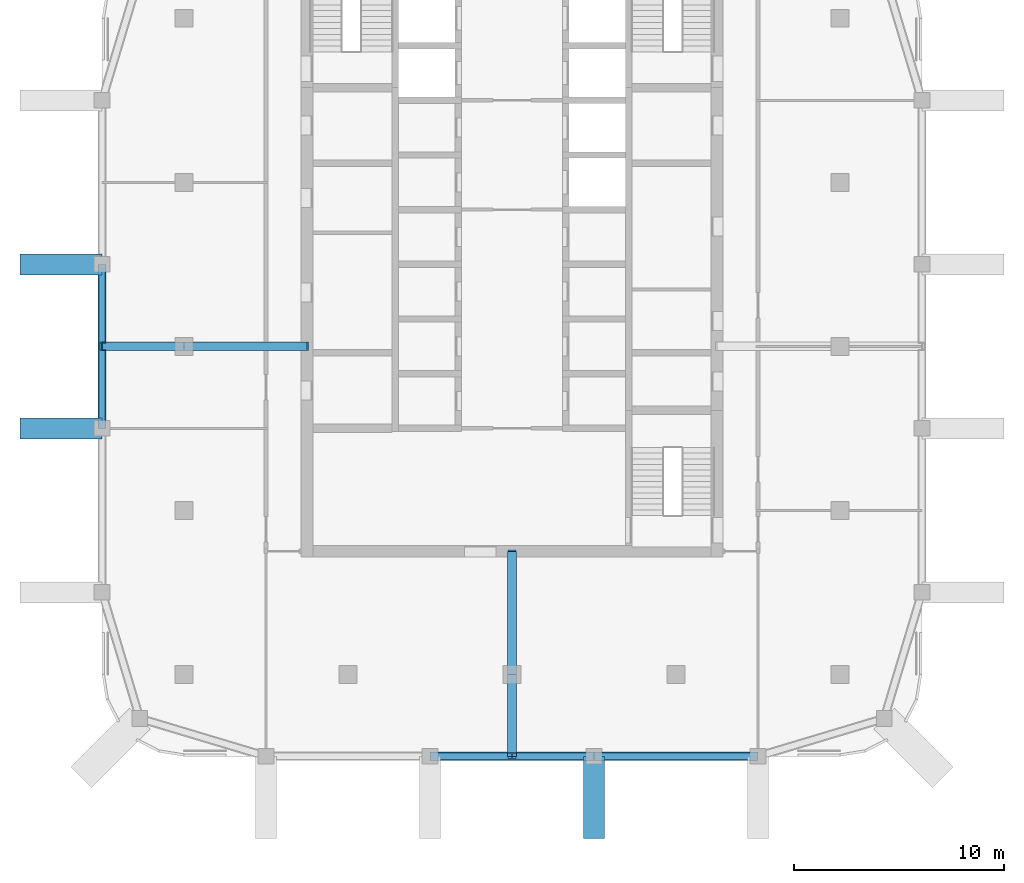
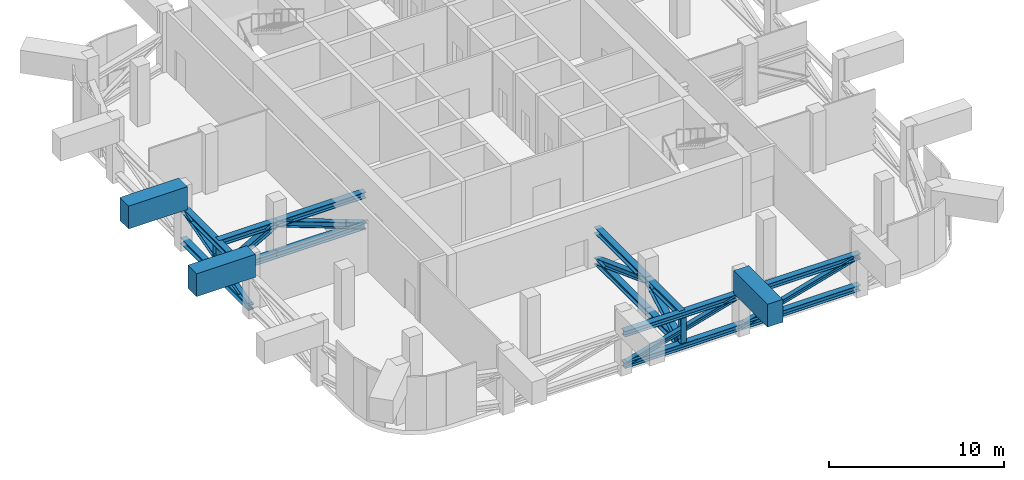
# One storey, part 2 of 13: 23 members, 3 beams.
"""IFC4 building model written with IfcOpenShell, lengths in metres."""

from ifc_helpers import new_model, si_unit, direction, frame, origin, origin_2d, place, context, subcontext, project, spatial, rectangle, i_section, extrude, material, material_profile, profile_set, type_object, element, save


model = new_model("IFC4")

# Units and contexts
model_context = context("Model", 3, precision=1e-05, world=origin(), true_north=direction((0.0, 1.0)))
body_context = subcontext(model_context, "Body", "Model", "MODEL_VIEW")
ifc_project = project(units=[si_unit("LENGTHUNIT", "METRE"), si_unit("AREAUNIT", "SQUARE_METRE"), si_unit("VOLUMEUNIT", "CUBIC_METRE"), si_unit("PLANEANGLEUNIT", "RADIAN"), si_unit("MASSUNIT", "GRAM", prefix="KILO")], contexts=[model_context])

# Site, building, storey
site_placement = place(None, origin())
site = spatial("IfcSite", under=ifc_project, at=site_placement, CompositionType="ELEMENT")
building_placement = place(site_placement, origin())
building = spatial("IfcBuilding", under=site, at=building_placement, Name="Ludao Terraces", CompositionType="ELEMENT")
storey_placement = place(building_placement, frame((0.0, 0.0, 192.800048828125)))
storey = spatial("IfcBuildingStorey", under=building, at=storey_placement, Name="L52", CompositionType="ELEMENT", Elevation=192.800048828125)

# Members
ifc_material_1 = material(Name="Steel Q355", Category="steel")
ifc_material_profile_1 = material_profile(ifc_material_1, i_section(OverallWidth=0.39990234375, OverallDepth=0.39990234375, WebThickness=0.012939453125, FlangeThickness=0.02099609375, at=origin_2d()), Name="HW 400X400X13X21")
ifc_profile_set_1 = profile_set([ifc_material_profile_1], Name="Steel Q355")
member_type_1 = type_object("IfcMemberType", Name="Belt truss chord HW 400x400x13x21 Q355", PredefinedType="CHORD", material=ifc_profile_set_1)
for number, where, z_axis, x_axis, name in (
    (1, (81.10009765625, 45.5, 2.39990234375), (1.0, 0.0, 0.0), (0.0, 1.0, 0.0), "Truss chord L52 BT3T1"),
    (2, (81.10009765625, 45.5, 0.199951171875), (1.0, 0.0, 0.0), (0.0, 1.0, 0.0), "Truss chord L52 BT3B1"),
):
    element("IfcMember", number, at=place(storey_placement, frame(where, z_axis=z_axis, x_axis=x_axis)), inside=storey, type_object=member_type_1, Name=name, PredefinedType="CHORD", context=body_context, shape_type="SweptSolid", body=[
        extrude(i_section(OverallWidth=0.39990234375, OverallDepth=0.39990234375, WebThickness=0.012939453125, FlangeThickness=0.02099609375, at=origin_2d()), origin(), (0.0, 0.0, 1.0), 7.7998046875),
    ])
for number, where, z_axis, x_axis, name in (
    (3, (88.89990234375, 45.5, 2.39990234375), (1.0, 0.0, 0.0), (0.0, 1.0, 0.0), "Truss chord L52 BT4T1"),
    (4, (88.89990234375, 45.5, 0.199951171875), (1.0, 0.0, 0.0), (0.0, 1.0, 0.0), "Truss chord L52 BT4B1"),
):
    element("IfcMember", number, at=place(storey_placement, frame(where, z_axis=z_axis, x_axis=x_axis)), inside=storey, type_object=member_type_1, Name=name, PredefinedType="CHORD", context=body_context, shape_type="SweptSolid", body=[
        extrude(i_section(OverallWidth=0.39990234375, OverallDepth=0.39990234375, WebThickness=0.012939453125, FlangeThickness=0.02099609375, at=origin_2d()), origin(), (0.0, 0.0, 1.0), 7.800048828125),
    ])
for number, where, z_axis, x_axis, name in (
    (5, (65.5, 61.10009765625, 2.39990234375), (0.0, 1.0, 0.0), (-1.0, 0.0, 0.0), "Truss chord L52 BT10T1"),
    (6, (65.5, 61.10009765625, 0.199951171875), (0.0, 1.0, 0.0), (-1.0, 0.0, 0.0), "Truss chord L52 BT10B1"),
):
    element("IfcMember", number, at=place(storey_placement, frame(where, z_axis=z_axis, x_axis=x_axis)), inside=storey, type_object=member_type_1, Name=name, PredefinedType="CHORD", context=body_context, shape_type="SweptSolid", body=[
        extrude(i_section(OverallWidth=0.39990234375, OverallDepth=0.39990234375, WebThickness=0.012939453125, FlangeThickness=0.02099609375, at=origin_2d()), origin(), (0.0, 0.0, 1.0), 7.7998046875),
    ])
ifc_material_profile_2 = material_profile(ifc_material_1, i_section(OverallWidth=0.300048828125, OverallDepth=0.300048828125, WebThickness=0.010009765625, FlangeThickness=0.014892578125, at=origin_2d()), Name="HW 300X300X10X15")
ifc_profile_set_2 = profile_set([ifc_material_profile_2], Name="Steel Q355")
member_type_2 = type_object("IfcMemberType", Name="Belt truss diagonal HW 300x300x10x15 Q355", PredefinedType="BRACE", material=ifc_profile_set_2)
member_1_placement = place(storey_placement, frame((81.10009765625, 45.5, 0.199951171875), z_axis=(0.962449474171, 0.0, 0.271460880548), x_axis=(0.0, 1.0, 0.0)))
element("IfcMember", 7, at=member_1_placement, inside=storey, type_object=member_type_2, Name="Truss diagonal L52 BT31", PredefinedType="BRACE", context=body_context, shape_type="SweptSolid", body=[
    extrude(i_section(OverallWidth=0.300048828125, OverallDepth=0.300048828125, WebThickness=0.010009765625, FlangeThickness=0.014892578125, at=origin_2d()), origin(), (0.0, 0.0, 1.0), 8.10400390625),
])
member_2_placement = place(storey_placement, frame((88.89990234375, 45.5, 0.199951171875), z_axis=(0.962451694053, 0.0, 0.271453009957), x_axis=(0.0, 1.0, 0.0)))
element("IfcMember", 8, at=member_2_placement, inside=storey, type_object=member_type_2, Name="Truss diagonal L52 BT41", PredefinedType="BRACE", context=body_context, shape_type="SweptSolid", body=[
    extrude(i_section(OverallWidth=0.300048828125, OverallDepth=0.300048828125, WebThickness=0.010009765625, FlangeThickness=0.014892578125, at=origin_2d()), origin(), (0.0, 0.0, 1.0), 8.104248046875),
])
member_3_placement = place(storey_placement, frame((65.5, 61.10009765625, 0.199951171875), z_axis=(0.0, 0.962449474171, 0.271460880548), x_axis=(-1.0, 0.0, 0.0)))
element("IfcMember", 9, at=member_3_placement, inside=storey, type_object=member_type_2, Name="Truss diagonal L52 BT101", PredefinedType="BRACE", context=body_context, shape_type="SweptSolid", body=[
    extrude(i_section(OverallWidth=0.300048828125, OverallDepth=0.300048828125, WebThickness=0.010009765625, FlangeThickness=0.014892578125, at=origin_2d()), origin(), (0.0, 0.0, 1.0), 8.10400390625),
])
ifc_material_profile_3 = material_profile(ifc_material_1, i_section(OverallWidth=0.406982421875, OverallDepth=0.427978515625, WebThickness=0.02001953125, FlangeThickness=0.034912109375, at=origin_2d()), Name="HW 428X407X20X35")
ifc_profile_set_3 = profile_set([ifc_material_profile_3], Name="Steel Q355")
member_type_3 = type_object("IfcMemberType", Name="Outrigger chord HW 428x407x20x35 Q355", PredefinedType="CHORD", material=ifc_profile_set_3)
for number, where, z_axis, x_axis, name in (
    (10, (75.25, 65.0, 2.385986328125), (-1.0, 0.0, 0.0), (0.0, -1.0, 0.0), "Truss chord L52 ORWT1"),
    (11, (75.25, 65.0, 0.2138671875), (-1.0, 0.0, 0.0), (0.0, -1.0, 0.0), "Truss chord L52 ORWB1"),
):
    element("IfcMember", number, at=place(storey_placement, frame(where, z_axis=z_axis, x_axis=x_axis)), inside=storey, type_object=member_type_3, Name=name, PredefinedType="CHORD", context=body_context, shape_type="SweptSolid", body=[
        extrude(i_section(OverallWidth=0.406982421875, OverallDepth=0.427978515625, WebThickness=0.02001953125, FlangeThickness=0.034912109375, at=origin_2d()), origin(), (0.0, 0.0, 1.0), 5.85009765625),
    ])
for number, where, z_axis, x_axis, name in (
    (12, (69.39990234375, 65.0, 2.385986328125), (-1.0, 0.0, 0.0), (0.0, -1.0, 0.0), "Truss chord L52 ORWT2"),
    (13, (69.39990234375, 65.0, 0.2138671875), (-1.0, 0.0, 0.0), (0.0, -1.0, 0.0), "Truss chord L52 ORWB2"),
):
    element("IfcMember", number, at=place(storey_placement, frame(where, z_axis=z_axis, x_axis=x_axis)), inside=storey, type_object=member_type_3, Name=name, PredefinedType="CHORD", context=body_context, shape_type="SweptSolid", body=[
        extrude(i_section(OverallWidth=0.406982421875, OverallDepth=0.427978515625, WebThickness=0.02001953125, FlangeThickness=0.034912109375, at=origin_2d()), origin(), (0.0, 0.0, 1.0), 3.89990234375),
    ])
for number, where, z_axis, x_axis, name in (
    (14, (85.0, 55.25, 2.385986328125), (0.0, -1.0, 0.0), (1.0, 0.0, 0.0), "Truss chord L52 ORST1"),
    (15, (85.0, 55.25, 0.2138671875), (0.0, -1.0, 0.0), (1.0, 0.0, 0.0), "Truss chord L52 ORSB1"),
):
    element("IfcMember", number, at=place(storey_placement, frame(where, z_axis=z_axis, x_axis=x_axis)), inside=storey, type_object=member_type_3, Name=name, PredefinedType="CHORD", context=body_context, shape_type="SweptSolid", body=[
        extrude(i_section(OverallWidth=0.406982421875, OverallDepth=0.427978515625, WebThickness=0.02001953125, FlangeThickness=0.034912109375, at=origin_2d()), origin(), (0.0, 0.0, 1.0), 5.85009765625),
    ])
for number, where, z_axis, x_axis, name in (
    (16, (85.0, 49.39990234375, 2.385986328125), (0.0, -1.0, 0.0), (1.0, 0.0, 0.0), "Truss chord L52 ORST2"),
    (17, (85.0, 49.39990234375, 0.2138671875), (0.0, -1.0, 0.0), (1.0, 0.0, 0.0), "Truss chord L52 ORSB2"),
):
    element("IfcMember", number, at=place(storey_placement, frame(where, z_axis=z_axis, x_axis=x_axis)), inside=storey, type_object=member_type_3, Name=name, PredefinedType="CHORD", context=body_context, shape_type="SweptSolid", body=[
        extrude(i_section(OverallWidth=0.406982421875, OverallDepth=0.427978515625, WebThickness=0.02001953125, FlangeThickness=0.034912109375, at=origin_2d()), origin(), (0.0, 0.0, 1.0), 3.89990234375),
    ])
ifc_material_profile_4 = material_profile(ifc_material_1, i_section(OverallWidth=0.39990234375, OverallDepth=0.39990234375, WebThickness=0.012939453125, FlangeThickness=0.02099609375, at=origin_2d()), Name="HW 400X400X13X21")
ifc_profile_set_4 = profile_set([ifc_material_profile_4], Name="Steel Q355")
member_type_4 = type_object("IfcMemberType", Name="Outrigger diagonal HW 400x400x13x21 Q355", PredefinedType="BRACE", material=ifc_profile_set_4)
member_4_placement = place(storey_placement, frame((75.25, 65.0, 0.2138671875), z_axis=(-0.937465763886, 0.0, 0.348077493586), x_axis=(0.0, -1.0, 0.0)))
element("IfcMember", 18, at=member_4_placement, inside=storey, type_object=member_type_4, Name="Truss diagonal L52 ORW1", PredefinedType="BRACE", context=body_context, shape_type="SweptSolid", body=[
    extrude(i_section(OverallWidth=0.39990234375, OverallDepth=0.39990234375, WebThickness=0.012939453125, FlangeThickness=0.02099609375, at=origin_2d()), origin(), (0.0, 0.0, 1.0), 6.240234375),
])
member_5_placement = place(storey_placement, frame((69.39990234375, 65.0, 2.385986328125), z_axis=(-0.873633076324, 0.0, -0.486585293605), x_axis=(0.0, -1.0, 0.0)))
element("IfcMember", 19, at=member_5_placement, inside=storey, type_object=member_type_4, Name="Truss diagonal L52 ORW2", PredefinedType="BRACE", context=body_context, shape_type="SweptSolid", body=[
    extrude(i_section(OverallWidth=0.39990234375, OverallDepth=0.39990234375, WebThickness=0.012939453125, FlangeThickness=0.02099609375, at=origin_2d()), origin(), (0.0, 0.0, 1.0), 4.464111328125),
])
member_6_placement = place(storey_placement, frame((85.0, 55.25, 0.2138671875), z_axis=(0.0, -0.937465763886, 0.348077493586), x_axis=(1.0, 0.0, 0.0)))
element("IfcMember", 20, at=member_6_placement, inside=storey, type_object=member_type_4, Name="Truss diagonal L52 ORS1", PredefinedType="BRACE", context=body_context, shape_type="SweptSolid", body=[
    extrude(i_section(OverallWidth=0.39990234375, OverallDepth=0.39990234375, WebThickness=0.012939453125, FlangeThickness=0.02099609375, at=origin_2d()), origin(), (0.0, 0.0, 1.0), 6.240234375),
])
member_7_placement = place(storey_placement, frame((85.0, 49.39990234375, 2.385986328125), z_axis=(0.0, -0.873633076324, -0.486585293605), x_axis=(1.0, 0.0, 0.0)))
element("IfcMember", 21, at=member_7_placement, inside=storey, type_object=member_type_4, Name="Truss diagonal L52 ORS2", PredefinedType="BRACE", context=body_context, shape_type="SweptSolid", body=[
    extrude(i_section(OverallWidth=0.39990234375, OverallDepth=0.39990234375, WebThickness=0.012939453125, FlangeThickness=0.02099609375, at=origin_2d()), origin(), (0.0, 0.0, 1.0), 4.464111328125),
])
ifc_material_profile_5 = material_profile(ifc_material_1, i_section(OverallWidth=0.35009765625, OverallDepth=0.35009765625, WebThickness=0.011962890625, FlangeThickness=0.01904296875, at=origin_2d()), Name="HW 350X350X12X19")
ifc_profile_set_5 = profile_set([ifc_material_profile_5], Name="Steel Q355")
member_type_5 = type_object("IfcMemberType", Name="Outrigger post HW 350x350x12x19 Q355", PredefinedType="POST", material=ifc_profile_set_5)
for number, where, z_axis, x_axis, name in (
    (22, (65.5, 65.0, 0.427978515625), (0.0, 0.0, 1.0), (1.0, 0.0, 0.0), "Truss post L52 ORW3"),
    (23, (85.0, 45.5, 0.427978515625), (0.0, 0.0, 1.0), (1.0, 0.0, 0.0), "Truss post L52 ORS3"),
):
    element("IfcMember", number, at=place(storey_placement, frame(where, z_axis=z_axis, x_axis=x_axis)), inside=storey, type_object=member_type_5, Name=name, PredefinedType="POST", context=body_context, shape_type="SweptSolid", body=[
        extrude(i_section(OverallWidth=0.35009765625, OverallDepth=0.35009765625, WebThickness=0.011962890625, FlangeThickness=0.01904296875, at=origin_2d()), origin(), (0.0, 0.0, 1.0), 1.743896484375),
    ])

# Beams
ifc_material_2 = material(Name="Concrete C60", Category="concrete")
ifc_material_profile_6 = material_profile(ifc_material_2, rectangle(XDim=1.0, YDim=1.60009765625, at=origin_2d()), Name="1000 X 1600")
ifc_profile_set_6 = profile_set([ifc_material_profile_6], Name="Concrete C60")
beam_type = type_object("IfcBeamType", Name="RC beam 1000x1600 C60", PredefinedType="BEAM", material=ifc_profile_set_6)
for number, where, z_axis, x_axis, name in (
    (24, (61.60009765625, 61.10009765625, 3.39990234375), (1.0, 0.0, 0.0), (0.0, 1.0, 0.0), "Transfer girder L52 corbel 2"),
    (25, (61.60009765625, 68.89990234375, 3.39990234375), (1.0, 0.0, 0.0), (0.0, 1.0, 0.0), "Transfer girder L52 corbel 3"),
    (26, (88.89990234375, 41.60009765625, 3.39990234375), (0.0, 1.0, 0.0), (-1.0, 0.0, 0.0), "Transfer girder L52 corbel 8"),
):
    element("IfcBeam", number, at=place(storey_placement, frame(where, z_axis=z_axis, x_axis=x_axis)), inside=storey, type_object=beam_type, Name=name, PredefinedType="BEAM", context=body_context, shape_type="SweptSolid", body=[
        extrude(rectangle(XDim=1.0, YDim=1.60009765625, at=origin_2d()), origin(), (0.0, 0.0, 1.0), 3.89990234375),
    ])

save(model, "model.ifc")
